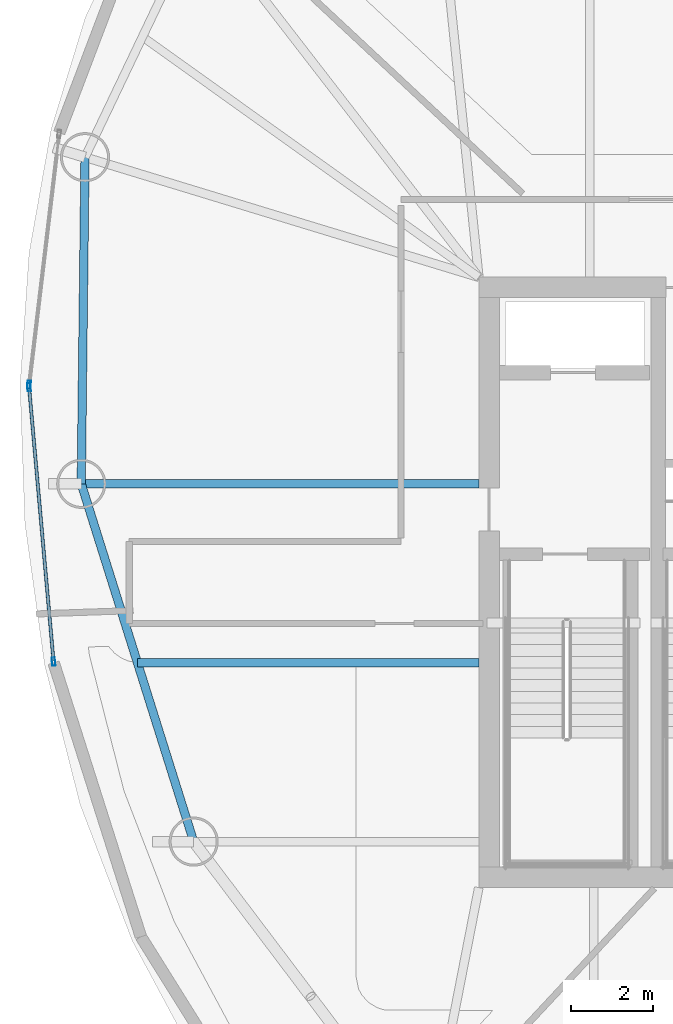
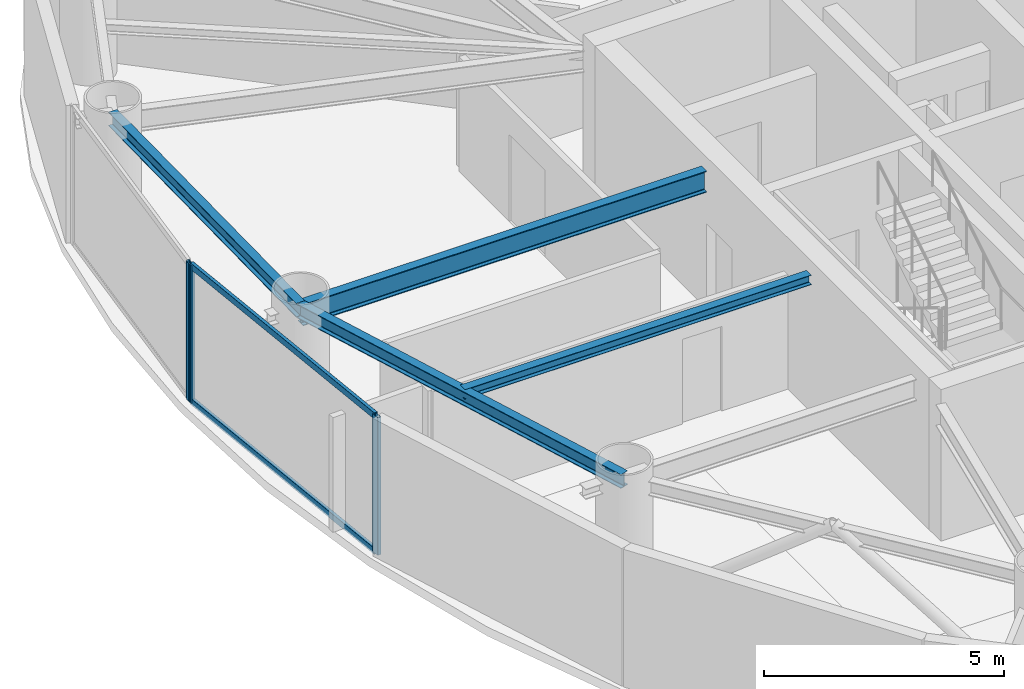
# One storey, part 4 of 18: 5 members, 4 beams, 2 elements without a shape of their own.
"""IFC4 building model written with IfcOpenShell, lengths in metres."""

from ifc_helpers import new_model, si_unit, direction, frame, origin, origin_2d, place, context, subcontext, project, spatial, hollow_rectangle, i_section, extrude, material, layer, layer_set, material_profile, profile_set, type_object, element, aggregate, save


model = new_model("IFC4")

# Units and contexts
model_context = context("Model", 3, precision=1e-05, world=origin(), true_north=direction((0.0, 1.0)))
body_context = subcontext(model_context, "Body", "Model", "MODEL_VIEW")
ifc_project = project(units=[si_unit("LENGTHUNIT", "METRE"), si_unit("AREAUNIT", "SQUARE_METRE"), si_unit("VOLUMEUNIT", "CUBIC_METRE"), si_unit("PLANEANGLEUNIT", "RADIAN"), si_unit("MASSUNIT", "GRAM", prefix="KILO")], contexts=[model_context])

# Site, building, storey
site_placement = place(None, origin())
site = spatial("IfcSite", under=ifc_project, at=site_placement, CompositionType="ELEMENT")
building_placement = place(site_placement, origin())
building = spatial("IfcBuilding", under=site, at=building_placement, Name="Bramvorn Convention Spire", CompositionType="ELEMENT")
storey_placement = place(building_placement, frame((0.0, 0.0, 232.800048828125)))
storey = spatial("IfcBuildingStorey", under=building, at=storey_placement, Name="L59", CompositionType="ELEMENT", Elevation=232.800048828125)

# Beams
ifc_material_1 = material(Name="Steel CSA G40.21 Grade 350 (350W)", Category="steel")
ifc_material_profile_1 = material_profile(ifc_material_1, i_section(OverallWidth=0.201904296875, OverallDepth=0.2470703125, WebThickness=0.00732421875, FlangeThickness=0.010986328125, FilletRadius=0.011962890625, at=origin_2d()))
ifc_profile_set_1 = profile_set([ifc_material_profile_1], Name="Steel CSA G40.21 Grade 350 (350W) - W250X49")
beam_type_1 = type_object("IfcBeamType", Name="BM-W250X49", PredefinedType="JOIST", material=ifc_profile_set_1)
beam_1_placement = place(storey_placement, frame((26.75, 24.039794921875, 3.37646484375), z_axis=(-1.0, 0.0, 0.0), x_axis=(0.0, -1.0, 0.0)))
element("IfcBeam", 1, at=beam_1_placement, inside=storey, type_object=beam_type_1, Name="L59 composite floor joist 11", PredefinedType="JOIST", context=body_context, shape_type="SweptSolid", body=[
    extrude(i_section(OverallWidth=0.201904296875, OverallDepth=0.2470703125, WebThickness=0.00732421875, FlangeThickness=0.010986328125, FilletRadius=0.011962890625, at=origin_2d()), origin(), (0.0, 0.0, 1.0), 8.33251953125),
])
ifc_material_profile_2 = material_profile(ifc_material_1, i_section(OverallWidth=0.205078125, OverallDepth=0.35400390625, WebThickness=0.009521484375, FlangeThickness=0.016845703125, FilletRadius=0.014892578125, at=origin_2d()))
ifc_profile_set_2 = profile_set([ifc_material_profile_2], Name="Steel CSA G40.21 Grade 350 (350W) - W360X79")
beam_type_2 = type_object("IfcBeamType", Name="BM-W360X79", PredefinedType="JOIST", material=ifc_profile_set_2)
beam_2_placement = place(storey_placement, frame((17.136962890625, 36.380615234375, 3.322998046875), z_axis=(-0.011480475367, -0.999934097171, 0.0), x_axis=(0.999934097171, -0.011480475367, 0.0)))
element("IfcBeam", 2, at=beam_2_placement, inside=storey, type_object=beam_type_2, Name="L59 mega-column ring beam 10", PredefinedType="JOIST", context=body_context, shape_type="SweptSolid", body=[
    extrude(i_section(OverallWidth=0.205078125, OverallDepth=0.35400390625, WebThickness=0.009521484375, FlangeThickness=0.016845703125, FilletRadius=0.014892578125, at=origin_2d()), origin(), (0.0, 0.0, 1.0), 7.974609375),
])
beam_3_placement = place(storey_placement, frame((17.04541015625, 28.406494140625, 3.322998046875), z_axis=(0.299747542929, -0.954018558786, 0.0), x_axis=(0.954018558786, 0.299747542929, 0.0)))
element("IfcBeam", 3, at=beam_3_placement, inside=storey, type_object=beam_type_2, Name="L59 mega-column ring beam 11", PredefinedType="JOIST", context=body_context, shape_type="SweptSolid", body=[
    extrude(i_section(OverallWidth=0.205078125, OverallDepth=0.35400390625, WebThickness=0.009521484375, FlangeThickness=0.016845703125, FilletRadius=0.014892578125, at=origin_2d()), origin(), (0.0, 0.0, 1.0), 9.15478515625),
])
ifc_material_profile_3 = material_profile(ifc_material_1, i_section(OverallWidth=0.2119140625, OverallDepth=0.5439453125, WebThickness=0.01318359375, FlangeThickness=0.021240234375, FilletRadius=0.01904296875, at=origin_2d()))
ifc_profile_set_3 = profile_set([ifc_material_profile_3], Name="Steel CSA G40.21 Grade 350 (350W) - W530X123")
beam_type_3 = type_object("IfcBeamType", Name="BM-W530X123", PredefinedType="BEAM", material=ifc_profile_set_3)
beam_4_placement = place(storey_placement, frame((26.75, 28.406494140625, 3.22802734375), z_axis=(-1.0, 0.0, 0.0), x_axis=(0.0, -1.0, 0.0)))
element("IfcBeam", 4, at=beam_4_placement, inside=storey, type_object=beam_type_3, Name="L59 radial floor girder MC11", PredefinedType="BEAM", context=body_context, shape_type="SweptSolid", body=[
    extrude(i_section(OverallWidth=0.2119140625, OverallDepth=0.5439453125, WebThickness=0.01318359375, FlangeThickness=0.021240234375, FilletRadius=0.01904296875, at=origin_2d()), origin(), (0.0, 0.0, 1.0), 9.70458984375),
])

# Curtain wall, member
ifc_material_2 = material(Name="Anodised Bronze Unitised Curtain Wall", Category="aluminium")
ifc_layer = layer(ifc_material_2, 0.179931640625)
ifc_layer_set = layer_set([ifc_layer], Name="Anodised Bronze Unitised Curtain Wall - CW-OFF-FRIT")
curtain_wall_type = type_object("IfcCurtainWallType", Name="CW-OFF-FRIT", PredefinedType="USERDEFINED", material=ifc_layer_set)
curtain_wall_1_placement = place(storey_placement, origin())
curtain_wall_1 = element("IfcCurtainWall", 5, at=curtain_wall_1_placement, inside=storey, type_object=curtain_wall_type, Name="L59 fritted glass curtain wall 15", ObjectType="UNITISED CURTAIN WALL", PredefinedType="USERDEFINED")
ifc_material_3 = material(Name="Anodised Bronze Aluminium 6063-T6", Category="aluminium")
ifc_material_profile_4 = material_profile(ifc_material_3, hollow_rectangle(XDim=0.080078125, YDim=0.199951171875, WallThickness=0.00390625, InnerFilletRadius=0.0009765625, OuterFilletRadius=0.00390625, at=origin_2d()))
ifc_profile_set_4 = profile_set([ifc_material_profile_4], Name="Anodised Bronze Aluminium 6063-T6 - CWM80X200")
member_type_1 = type_object("IfcMemberType", Name="CW-MUL-180", PredefinedType="MULLION", material=ifc_profile_set_4)
member_1_placement = place(storey_placement, frame((15.7724609375, 30.824951171875, 0.0), z_axis=(0.0, 0.0, 1.0), x_axis=(-0.992906522495, 0.118897592856, 0.0)))
member_1 = element("IfcMember", 6, at=member_1_placement, type_object=member_type_1, Name="CW3 mullion 1", PredefinedType="MULLION", context=body_context, shape_type="SweptSolid", body=[
    extrude(hollow_rectangle(XDim=0.080078125, YDim=0.199951171875, WallThickness=0.00390625, InnerFilletRadius=0.0009765625, OuterFilletRadius=0.00390625, at=origin_2d()), origin(), (0.0, 0.0, 1.0), 3.5),
])
aggregate(curtain_wall_1, [member_1])

# Curtain wall, members
curtain_wall_2_placement = place(storey_placement, origin())
curtain_wall_2 = element("IfcCurtainWall", 7, at=curtain_wall_2_placement, inside=storey, type_object=curtain_wall_type, Name="L59 fritted glass curtain wall 16", ObjectType="UNITISED CURTAIN WALL", PredefinedType="USERDEFINED")
member_2_placement = place(storey_placement, frame((16.368896484375, 24.0673828125, 0.0), z_axis=(0.0, 0.0, 1.0), x_axis=(-0.996046396862, -0.08883453888, 0.0)))
member_2 = element("IfcMember", 8, at=member_2_placement, type_object=member_type_1, Name="CW3 mullion 1", PredefinedType="MULLION", context=body_context, shape_type="SweptSolid", body=[
    extrude(hollow_rectangle(XDim=0.080078125, YDim=0.199951171875, WallThickness=0.00390625, InnerFilletRadius=0.0009765625, OuterFilletRadius=0.00390625, at=origin_2d()), origin(), (0.0, 0.0, 1.0), 3.5),
])
member_3_placement = place(storey_placement, frame((15.771484375, 30.765380859375, 0.0), z_axis=(0.0, 0.0, 1.0), x_axis=(-0.996046396862, -0.08883453888, 0.0)))
member_3 = element("IfcMember", 9, at=member_3_placement, type_object=member_type_1, Name="CW3 mullion 2", PredefinedType="MULLION", context=body_context, shape_type="SweptSolid", body=[
    extrude(hollow_rectangle(XDim=0.080078125, YDim=0.199951171875, WallThickness=0.00390625, InnerFilletRadius=0.0009765625, OuterFilletRadius=0.00390625, at=origin_2d()), origin(), (0.0, 0.0, 1.0), 3.5),
])
ifc_material_profile_5 = material_profile(ifc_material_3, hollow_rectangle(XDim=0.080078125, YDim=0.159912109375, WallThickness=0.00390625, InnerFilletRadius=0.0009765625, OuterFilletRadius=0.00390625, at=origin_2d()))
ifc_profile_set_5 = profile_set([ifc_material_profile_5], Name="Anodised Bronze Aluminium 6063-T6 - CWT80X160")
member_type_2 = type_object("IfcMemberType", Name="CW-TRN-150", PredefinedType="USERDEFINED", material=ifc_profile_set_5)
member_4_placement = place(storey_placement, frame((16.3662109375, 24.09716796875, 0.030029296875), z_axis=(-0.088834589972, 0.996046392305, 0.0), x_axis=(-0.996046392305, -0.088834589972, 0.0)))
member_4 = element("IfcMember", 10, at=member_4_placement, type_object=member_type_2, Name="CW3 transom 1.1", ObjectType="TRANSOM", PredefinedType="USERDEFINED", context=body_context, shape_type="SweptSolid", body=[
    extrude(hollow_rectangle(XDim=0.080078125, YDim=0.159912109375, WallThickness=0.00390625, InnerFilletRadius=0.0009765625, OuterFilletRadius=0.00390625, at=origin_2d()), origin(), (0.0, 0.0, 1.0), 6.66455078125),
])
member_5_placement = place(storey_placement, frame((16.3662109375, 24.09716796875, 3.469970703125), z_axis=(-0.088834589972, 0.996046392305, 0.0), x_axis=(-0.996046392305, -0.088834589972, 0.0)))
member_5 = element("IfcMember", 11, at=member_5_placement, type_object=member_type_2, Name="CW3 transom 1.2", ObjectType="TRANSOM", PredefinedType="USERDEFINED", context=body_context, shape_type="SweptSolid", body=[
    extrude(hollow_rectangle(XDim=0.080078125, YDim=0.159912109375, WallThickness=0.00390625, InnerFilletRadius=0.0009765625, OuterFilletRadius=0.00390625, at=origin_2d()), origin(), (0.0, 0.0, 1.0), 6.66455078125),
])
aggregate(curtain_wall_2, [member_2, member_3, member_4, member_5])

save(model, "model.ifc")
